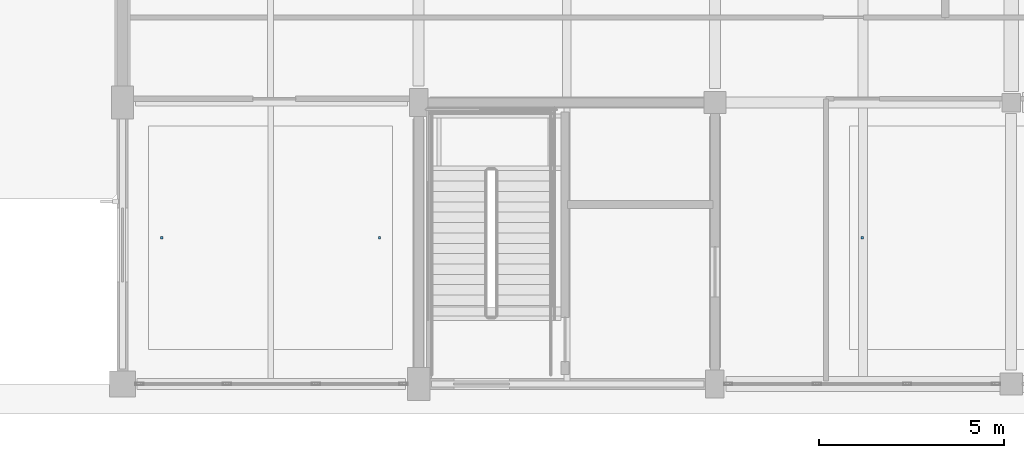
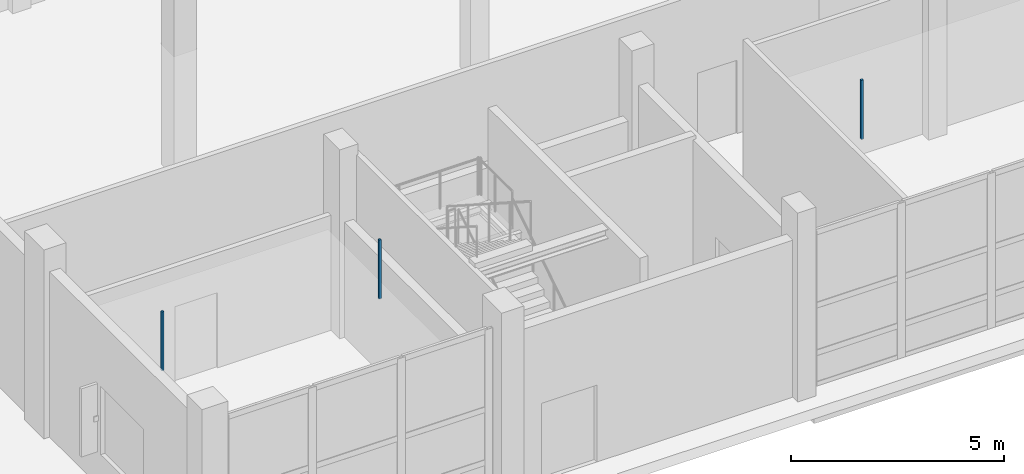
# One storey, part 80 of 126: 3 discrete accessories.
"""IFC4 building model written with IfcOpenShell, lengths in metres."""

from ifc_helpers import new_model, si_unit, direction, frame, origin, origin_2d, place, context, subcontext, project, spatial, rectangle, extrude, material, type_object, element, save


model = new_model("IFC4")

# Units and contexts
model_context = context("Model", 3, precision=1e-05, world=origin(), true_north=direction((0.0, 1.0)))
body_context = subcontext(model_context, "Body", "Model", "MODEL_VIEW")
ifc_project = project(units=[si_unit("LENGTHUNIT", "METRE"), si_unit("AREAUNIT", "SQUARE_METRE"), si_unit("VOLUMEUNIT", "CUBIC_METRE"), si_unit("PLANEANGLEUNIT", "RADIAN"), si_unit("MASSUNIT", "GRAM", prefix="KILO")], contexts=[model_context])

# Site, building, storey
site_placement = place(None, origin())
site = spatial("IfcSite", under=ifc_project, at=site_placement, CompositionType="ELEMENT")
building_placement = place(site_placement, origin())
building = spatial("IfcBuilding", under=site, at=building_placement, Name="Khelvaren Railside Concert Hall", CompositionType="ELEMENT")
storey_placement = place(building_placement, origin())
storey = spatial("IfcBuildingStorey", under=building, at=storey_placement, Name="L00", CompositionType="ELEMENT", Elevation=0.0)

# Discrete accessories
ifc_material = material(Name="Galvanised steel acoustic ceiling hanger rod", Category="steel")
discrete_accessory_type = type_object("IfcDiscreteAccessoryType", Name="BRK62", PredefinedType="BRACKET", material=ifc_material)
for number, where, z_axis, x_axis, name in (
    (1, (65.06005859375, 3.949951171875, 3.429931640625), (0.0, 0.0, 1.0), (1.0, 0.0, 0.0), "Acoustic Ceiling Suspension Bracket 71-1"),
    (2, (70.93994140625, 3.949951171875, 3.429931640625), (0.0, 0.0, 1.0), (1.0, 0.0, 0.0), "Acoustic Ceiling Suspension Bracket 71-2"),
    (3, (83.97998046875, 3.949951171875, 3.429931640625), (0.0, 0.0, 1.0), (1.0, 0.0, 0.0), "Acoustic Ceiling Suspension Bracket 72-1"),
):
    element("IfcDiscreteAccessory", number, at=place(storey_placement, frame(where, z_axis=z_axis, x_axis=x_axis)), inside=storey, type_object=discrete_accessory_type, Name=name, PredefinedType="BRACKET", context=body_context, shape_type="SweptSolid", body=[
        extrude(rectangle(XDim=0.06005859375, YDim=0.06005859375, at=origin_2d()), origin(), (0.0, 0.0, 1.0), 1.68994140625),
    ])

save(model, "model.ifc")
